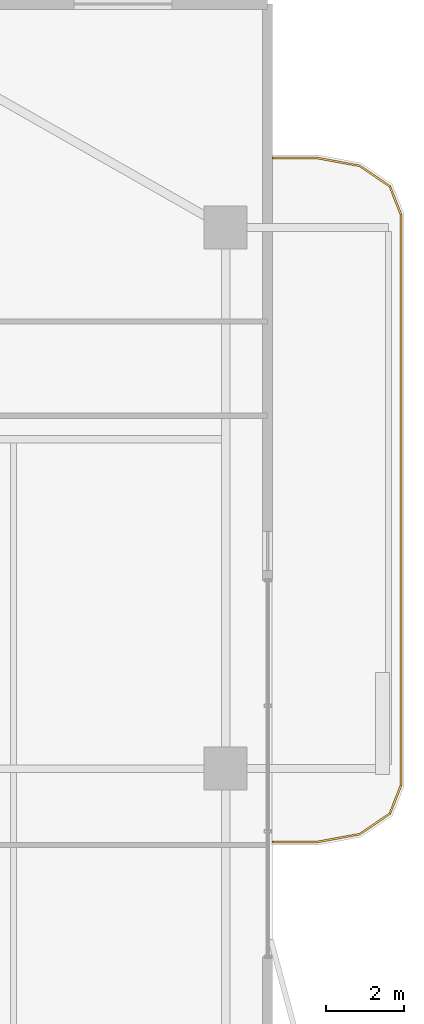
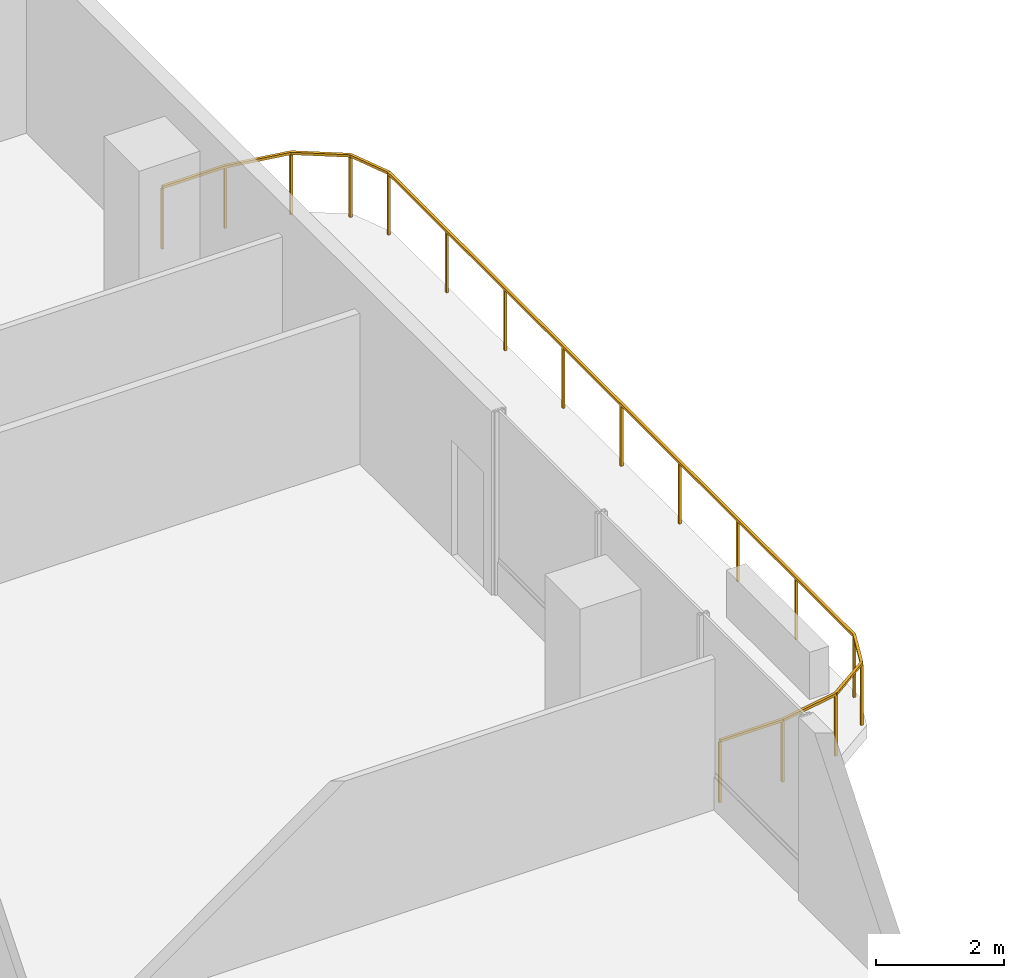
# One storey, part 24 of 24: 1 railing.
"""IFC4 building model written with IfcOpenShell, lengths in metres."""

from ifc_helpers import new_model, si_unit, direction, frame, origin, origin_2d, place, context, subcontext, project, spatial, rectangle, extrude, material, type_object, element, save


model = new_model("IFC4")

# Units and contexts
model_context = context("Model", 3, precision=1e-05, world=origin(), true_north=direction((0.0, 1.0)))
body_context = subcontext(model_context, "Body", "Model", "MODEL_VIEW")
ifc_project = project(units=[si_unit("LENGTHUNIT", "METRE"), si_unit("AREAUNIT", "SQUARE_METRE"), si_unit("VOLUMEUNIT", "CUBIC_METRE"), si_unit("PLANEANGLEUNIT", "RADIAN"), si_unit("MASSUNIT", "GRAM", prefix="KILO")], contexts=[model_context])

# Site, building, storey
site_placement = place(None, origin())
site = spatial("IfcSite", under=ifc_project, at=site_placement, CompositionType="ELEMENT")
building_placement = place(site_placement, origin())
building = spatial("IfcBuilding", under=site, at=building_placement, Name="Belovzor Exchange Tower", CompositionType="ELEMENT")
storey_placement = place(building_placement, frame((0.0, 0.0, 214.949951171875)))
storey = spatial("IfcBuildingStorey", under=building, at=storey_placement, Name="L53", CompositionType="ELEMENT", Elevation=214.949951171875)

# Railing
ifc_material = material(Name="Stainless Steel and Laminated Safety Glass", Category="steel")
railing_type = type_object("IfcRailingType", Name="Laminated Glass & Stainless Steel Balcony Balustrade 1200", PredefinedType="BALUSTRADE", material=ifc_material)
railing_placement = place(storey_placement, frame((55.81005859375, 26.929931640625, 0.0)))
element("IfcRailing", 1, at=railing_placement, inside=storey, type_object=railing_type, Name="GR-1 Balcony Balustrade L53 East", PredefinedType="BALUSTRADE", context=body_context, shape_type="SweptSolid", body=[
    extrude(rectangle(XDim=0.048095703125, YDim=0.048095703125, at=origin_2d()), frame((0.0, 0.0, 1.17578125), z_axis=(1.0, 0.0, 0.0), x_axis=(0.0, 1.0, 0.0)), (0.0, 0.0, 1.0), 1.133056640625),
    extrude(rectangle(XDim=0.048095703125, YDim=0.048095703125, at=origin_2d()), frame((1.133056640625, 0.0, 1.17578125), z_axis=(0.983644145941, 0.180122719713, 0.0), x_axis=(-0.180122719713, 0.983644145941, 0.0)), (0.0, 0.0, 1.0), 1.09375),
    extrude(rectangle(XDim=0.048095703125, YDim=0.048095703125, at=origin_2d()), frame((2.208984375, 0.197021484375, 1.17578125), z_axis=(0.826493025367, 0.56294695933, 0.0), x_axis=(-0.56294695933, 0.826493025367, 0.0)), (0.0, 0.0, 1.0), 0.932861328125),
    extrude(rectangle(XDim=0.048095703125, YDim=0.048095703125, at=origin_2d()), frame((2.97998046875, 0.72216796875, 1.17578125), z_axis=(0.365612923861, 0.930766990125, 0.0), x_axis=(-0.930766990125, 0.365612923861, 0.0)), (0.0, 0.0, 1.0), 0.765869140625),
    extrude(rectangle(XDim=0.048095703125, YDim=0.048095703125, at=origin_2d()), frame((3.260009765625, 1.43505859375, 1.17578125), z_axis=(0.0, 1.0, 0.0), x_axis=(-1.0, 0.0, 0.0)), (0.0, 0.0, 1.0), 14.570068359375),
    extrude(rectangle(XDim=0.048095703125, YDim=0.048095703125, at=origin_2d()), frame((3.260009765625, 16.005126953125, 1.17578125), z_axis=(-0.365612923861, 0.930766990125, 0.0), x_axis=(-0.930766990125, -0.365612923861, 0.0)), (0.0, 0.0, 1.0), 0.765869140625),
    extrude(rectangle(XDim=0.048095703125, YDim=0.048095703125, at=origin_2d()), frame((2.97998046875, 16.718017578125, 1.17578125), z_axis=(-0.826493025367, 0.56294695933, 0.0), x_axis=(-0.56294695933, -0.826493025367, 0.0)), (0.0, 0.0, 1.0), 0.932861328125),
    extrude(rectangle(XDim=0.048095703125, YDim=0.048095703125, at=origin_2d()), frame((2.208984375, 17.2431640625, 1.17578125), z_axis=(-0.983644145941, 0.180122719713, 0.0), x_axis=(-0.180122719713, -0.983644145941, 0.0)), (0.0, 0.0, 1.0), 1.09375),
    extrude(rectangle(XDim=0.048095703125, YDim=0.048095703125, at=origin_2d()), frame((1.133056640625, 17.440185546875, 1.17578125), z_axis=(-1.0, 0.0, 0.0), x_axis=(0.0, -1.0, 0.0)), (0.0, 0.0, 1.0), 1.133056640625),
    extrude(rectangle(XDim=0.0419921875, YDim=0.0419921875, at=origin_2d()), origin(), (0.0, 0.0, 1.0), 1.15185546875),
    extrude(rectangle(XDim=0.0419921875, YDim=0.0419921875, at=origin_2d()), frame((1.133056640625, 0.0, 0.0)), (0.0, 0.0, 1.0), 1.15185546875),
    extrude(rectangle(XDim=0.0419921875, YDim=0.0419921875, at=origin_2d()), frame((2.208984375, 0.197021484375, 0.0)), (0.0, 0.0, 1.0), 1.15185546875),
    extrude(rectangle(XDim=0.0419921875, YDim=0.0419921875, at=origin_2d()), frame((2.97998046875, 0.72216796875, 0.0)), (0.0, 0.0, 1.0), 1.15185546875),
    extrude(rectangle(XDim=0.0419921875, YDim=0.0419921875, at=origin_2d()), frame((3.260009765625, 1.43505859375, 0.0)), (0.0, 0.0, 1.0), 1.15185546875),
    extrude(rectangle(XDim=0.0419921875, YDim=0.0419921875, at=origin_2d()), frame((3.260009765625, 3.25634765625, 0.0)), (0.0, 0.0, 1.0), 1.15185546875),
    extrude(rectangle(XDim=0.0419921875, YDim=0.0419921875, at=origin_2d()), frame((3.260009765625, 5.07763671875, 0.0)), (0.0, 0.0, 1.0), 1.15185546875),
    extrude(rectangle(XDim=0.0419921875, YDim=0.0419921875, at=origin_2d()), frame((3.260009765625, 6.89892578125, 0.0)), (0.0, 0.0, 1.0), 1.15185546875),
    extrude(rectangle(XDim=0.0419921875, YDim=0.0419921875, at=origin_2d()), frame((3.260009765625, 8.72021484375, 0.0)), (0.0, 0.0, 1.0), 1.15185546875),
    extrude(rectangle(XDim=0.0419921875, YDim=0.0419921875, at=origin_2d()), frame((3.260009765625, 10.541259765625, 0.0)), (0.0, 0.0, 1.0), 1.15185546875),
    extrude(rectangle(XDim=0.0419921875, YDim=0.0419921875, at=origin_2d()), frame((3.260009765625, 12.362548828125, 0.0)), (0.0, 0.0, 1.0), 1.15185546875),
    extrude(rectangle(XDim=0.0419921875, YDim=0.0419921875, at=origin_2d()), frame((3.260009765625, 14.183837890625, 0.0)), (0.0, 0.0, 1.0), 1.15185546875),
    extrude(rectangle(XDim=0.0419921875, YDim=0.0419921875, at=origin_2d()), frame((3.260009765625, 16.005126953125, 0.0)), (0.0, 0.0, 1.0), 1.15185546875),
    extrude(rectangle(XDim=0.0419921875, YDim=0.0419921875, at=origin_2d()), frame((2.97998046875, 16.718017578125, 0.0)), (0.0, 0.0, 1.0), 1.15185546875),
    extrude(rectangle(XDim=0.0419921875, YDim=0.0419921875, at=origin_2d()), frame((2.208984375, 17.2431640625, 0.0)), (0.0, 0.0, 1.0), 1.15185546875),
    extrude(rectangle(XDim=0.0419921875, YDim=0.0419921875, at=origin_2d()), frame((1.133056640625, 17.440185546875, 0.0)), (0.0, 0.0, 1.0), 1.15185546875),
    extrude(rectangle(XDim=0.0419921875, YDim=0.0419921875, at=origin_2d()), frame((0.0, 17.440185546875, 0.0)), (0.0, 0.0, 1.0), 1.15185546875),
])

save(model, "model.ifc")
